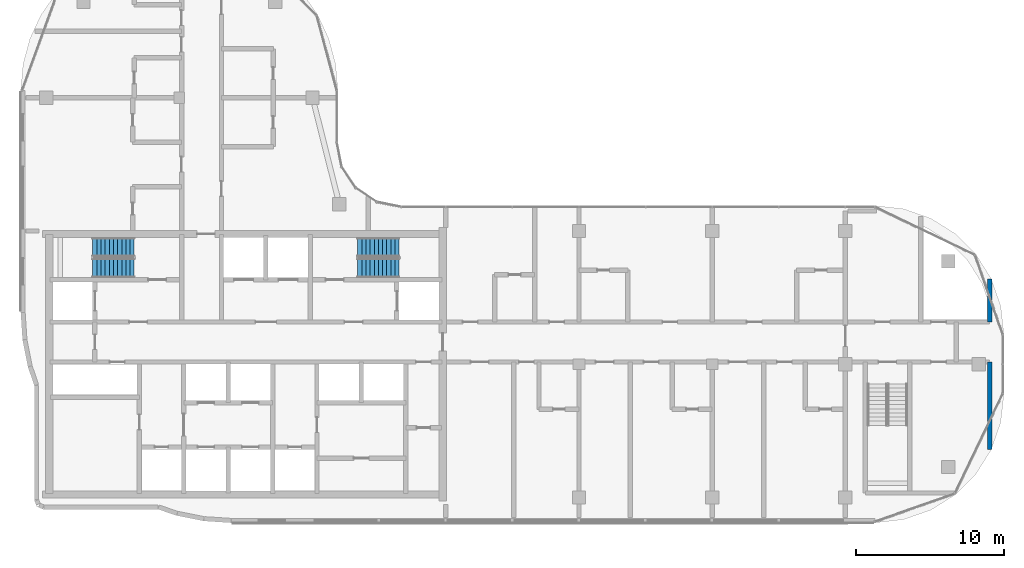
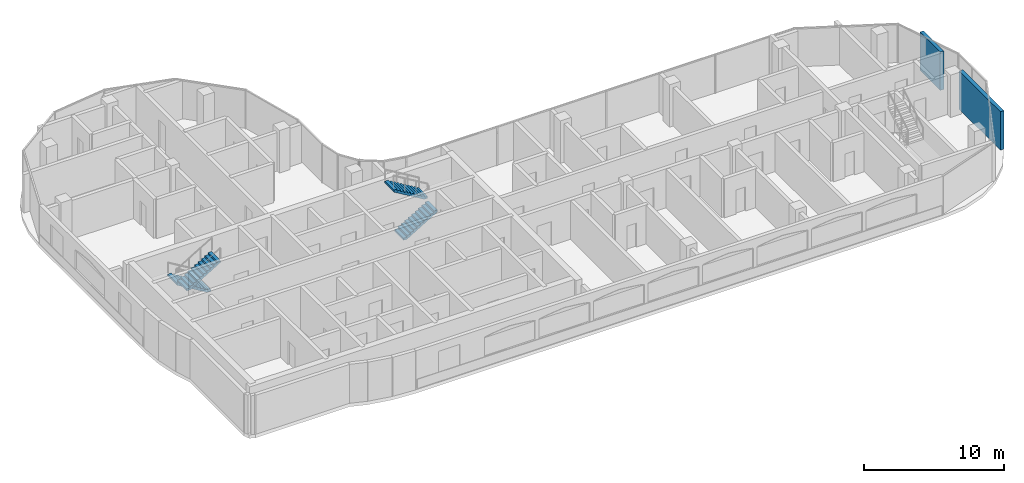
# One storey, part 14 of 19: 4 stair flights, 2 walls, 2 elements without a shape of their own.
"""IFC4 building model written with IfcOpenShell, lengths in metres."""

import ifcopenshell
import ifcopenshell.guid

model = None  # the IFC model being written
_history = None  # IfcOwnerHistory: only IFC2X3 demands one
_inside = {}  # id of a spatial element -> (the spatial element, [elements in it])
_under = {}  # id of a project, library or spatial element -> (it, [spatial elements below it])
_declared = {}  # id of a project -> (the project, [libraries it declares])
_typed = {}  # id of a type object -> (the type object, [elements of that type])
_made_of = {}  # id of a material, layer set ... -> (it, [elements and type objects made of it])


def new_model(schema):
    """Start an empty IFC model of exactly this schema.

    Asked for "IFC4X3", IfcOpenShell would pick the latest addendum, in which some entities
    have other attributes; the version numbers below select the first issue.
    IFC2X3 requires an IfcOwnerHistory on every rooted entity: one is made here for all.
    """
    global model, _history
    if schema == "IFC4X3":
        model = ifcopenshell.file(schema_version=(4, 3, 0, 0))
    else:
        model = ifcopenshell.file(schema=schema)
    _inside.clear()
    _under.clear()
    _declared.clear()
    _typed.clear()
    _made_of.clear()
    _history = None
    if model.schema == "IFC2X3":
        org = make("IfcOrganization", Name="unknown")
        user = make(
            "IfcPersonAndOrganization",
            ThePerson=make("IfcPerson", FamilyName="unknown"),
            TheOrganization=org,
        )
        app = make(
            "IfcApplication",
            ApplicationDeveloper=org,
            Version="unknown",
            ApplicationFullName="unknown",
            ApplicationIdentifier="unknown",
        )
        _history = make(
            "IfcOwnerHistory",
            OwningUser=user,
            OwningApplication=app,
            ChangeAction="ADDED",
            CreationDate=0,
        )
    return model


def make(cls, **values):
    """One entity of the class cls with the attributes given. An attribute that is None is left unset."""
    return model.create_entity(
        cls, **{name: value for name, value in values.items() if value is not None}
    )


def rooted(cls, **values):
    """An entity with a GlobalId (a new one), such as an element, a storey or a relation."""
    return make(cls, GlobalId=ifcopenshell.guid.new(), OwnerHistory=_history, **values)


def si_unit(unit_type, name, prefix=None):
    """IfcSIUnit, for example si_unit("LENGTHUNIT", "METRE", prefix="MILLI")."""
    return make("IfcSIUnit", UnitType=unit_type, Prefix=prefix, Name=name)


def assignment(units):
    """IfcUnitAssignment: the units of a project."""
    return None if units is None else make("IfcUnitAssignment", Units=units)


def point(xyz):
    """IfcCartesianPoint."""
    return None if xyz is None else make("IfcCartesianPoint", Coordinates=xyz)


def direction(xyz):
    """IfcDirection."""
    return None if xyz is None else make("IfcDirection", DirectionRatios=xyz)


def frame(location, z_axis=None, x_axis=None):
    """IfcAxis2Placement3D, a coordinate frame: its origin and axes. An axis left out is left unset."""
    return make(
        "IfcAxis2Placement3D",
        Location=point(location),
        Axis=direction(z_axis),
        RefDirection=direction(x_axis),
    )


def frame_2d(location, x_axis=None):
    """IfcAxis2Placement2D, a coordinate frame in the plane: its origin and x axis."""
    return make(
        "IfcAxis2Placement2D", Location=point(location), RefDirection=direction(x_axis)
    )


def origin():
    """The frame at (0, 0, 0) with its axes left unset."""
    return frame((0.0, 0.0, 0.0))


def place(relative_to, where):
    """IfcLocalPlacement: puts the frame where relative to a parent placement (None: the world)."""
    return make(
        "IfcLocalPlacement", PlacementRelTo=relative_to, RelativePlacement=where
    )


def context(
    kind, dimensions, precision=None, world=None, true_north=None, identifier=None
):
    """IfcGeometricRepresentationContext, for example the 3D "Model" context."""
    return make(
        "IfcGeometricRepresentationContext",
        ContextIdentifier=identifier,
        ContextType=kind,
        CoordinateSpaceDimension=dimensions,
        Precision=precision,
        WorldCoordinateSystem=world,
        TrueNorth=true_north,
    )


def subcontext(parent, identifier, kind, view, scale=None):
    """IfcGeometricRepresentationSubContext, for example "Body" below "Model"."""
    return make(
        "IfcGeometricRepresentationSubContext",
        ContextIdentifier=identifier,
        ContextType=kind,
        ParentContext=parent,
        TargetScale=scale,
        TargetView=view,
    )


def project(units=None, contexts=None):
    """IfcProject with its units and contexts."""
    return rooted(
        "IfcProject",
        Name="project",
        RepresentationContexts=contexts,
        UnitsInContext=assignment(units),
    )


def spatial(cls, under=None, at=None, **own):
    """A site, building, storey or space (cls), placed at a placement, below another one or the project."""
    s = rooted(cls, ObjectPlacement=at, **own)
    if under is not None:
        _under.setdefault(under.id(), (under, []))[1].append(s)
    return s


def point_list(points):
    """IfcCartesianPointList2D or 3D."""
    cls = (
        "IfcCartesianPointList2D" if len(points[0]) == 2 else "IfcCartesianPointList3D"
    )
    return make(cls, CoordList=points)


def profile(cls, at=None, kind="AREA", **sizes):
    """A parametric profile (cls). Its sizes go by their IFC names, for example OverallWidth=200.0."""
    return make(cls, ProfileType=kind, Position=at, **sizes)


def rectangle(**sizes):
    """IfcRectangleProfileDef."""
    return profile("IfcRectangleProfileDef", **sizes)


def extrude(swept, where, along, depth):
    """IfcExtrudedAreaSolid: the profile swept, set in the frame where, extruded along a direction by depth."""
    return make(
        "IfcExtrudedAreaSolid",
        SweptArea=swept,
        Position=where,
        ExtrudedDirection=direction(along),
        Depth=depth,
    )


def triangles(points, corners, closed=None, point_numbers=None):
    """IfcTriangulatedFaceSet: each triangle names its three corners, points numbered from 1."""
    return make(
        "IfcTriangulatedFaceSet",
        Coordinates=point_list(points),
        Closed=closed,
        CoordIndex=corners,
        PnIndex=point_numbers,
    )


def shape(context_of_items, identifier, shape_type, items):
    """IfcShapeRepresentation: the items that make up one representation, for example the "Body"."""
    return make(
        "IfcShapeRepresentation",
        ContextOfItems=context_of_items,
        RepresentationIdentifier=identifier,
        RepresentationType=shape_type,
        Items=items,
    )


def source(mapping_origin, context_of_items, identifier, shape_type, items):
    """IfcRepresentationMap: a shape defined once, which mapped items show again and again."""
    return make(
        "IfcRepresentationMap",
        MappingOrigin=mapping_origin,
        MappedRepresentation=shape(context_of_items, identifier, shape_type, items),
    )


def transform(
    local_origin,
    x_axis=None,
    y_axis=None,
    z_axis=None,
    scale=None,
    scale2=None,
    scale3=None,
    uniform=True,
):
    """IfcCartesianTransformationOperator3D, or its non-uniform kind. x_axis, y_axis, z_axis: its Axis1, 2, 3."""
    if uniform:
        return make(
            "IfcCartesianTransformationOperator3D",
            Axis1=direction(x_axis),
            Axis2=direction(y_axis),
            LocalOrigin=point(local_origin),
            Scale=scale,
            Axis3=direction(z_axis),
        )
    return make(
        "IfcCartesianTransformationOperator3DnonUniform",
        Axis1=direction(x_axis),
        Axis2=direction(y_axis),
        LocalOrigin=point(local_origin),
        Scale=scale,
        Axis3=direction(z_axis),
        Scale2=scale2,
        Scale3=scale3,
    )


def mapped(mapping_source, mapping_target):
    """IfcMappedItem: shows the shape of a source again, moved by a transform."""
    return make(
        "IfcMappedItem", MappingSource=mapping_source, MappingTarget=mapping_target
    )


def material(Name=None, Category=None):
    """IfcMaterial."""
    return make("IfcMaterial", Name=Name, Category=Category)


def layer(
    of_material, thickness, ventilated=None, Name=None, Category=None, Priority=None
):
    """IfcMaterialLayer: one layer of a wall or slab, of a material (None: an air gap)."""
    return make(
        "IfcMaterialLayer",
        Material=of_material,
        LayerThickness=thickness,
        IsVentilated=ventilated,
        Name=Name,
        Category=Category,
        Priority=Priority,
    )


def layer_set(layers, Name=None):
    """IfcMaterialLayerSet."""
    return make("IfcMaterialLayerSet", MaterialLayers=layers, LayerSetName=Name)


def made_of(thing, what):
    """Note that an element or type object is made of a material, layer set ...; save() writes the relation."""
    if what is not None:
        _made_of.setdefault(what.id(), (what, []))[1].append(thing)
    return thing


def type_object(cls, material=None, **own):
    """A type object (cls), such as IfcWallType, which elements share."""
    return made_of(rooted(cls, **own), material)


def element(
    cls,
    number,
    at=None,
    inside=None,
    cuts=None,
    type_object=None,
    material=None,
    context=None,
    identifier="Body",
    shape_type=None,
    held_by="IfcProductDefinitionShape",
    body=None,
    shapes=None,
    **own,
):
    """One element of the class cls, such as IfcWall. Its Tag is "e" and its number.

    at: its placement. inside: the storey or other place that contains it. cuts: it is an
    opening in that element (IfcRelVoidsElement). A single representation is given by context,
    identifier, shape_type and body (its items); several are given by shapes. held_by: the class
    of the entity that holds the representations. save() writes the other relations.
    """
    e = rooted(cls, Tag="e%d" % number, ObjectPlacement=at, **own)
    if body is not None:
        shapes = [shape(context, identifier, shape_type, body)]
    if shapes is not None:
        e.Representation = make(held_by, Representations=shapes)
    if inside is not None:
        _inside.setdefault(inside.id(), (inside, []))[1].append(e)
    if cuts is not None:
        rooted(
            "IfcRelVoidsElement", RelatingBuildingElement=cuts, RelatedOpeningElement=e
        )
    if type_object is not None:
        _typed.setdefault(type_object.id(), (type_object, []))[1].append(e)
    return made_of(e, material)


def aggregate(whole, parts):
    """IfcRelAggregates: a whole, such as a stair, and the parts it consists of."""
    return rooted("IfcRelAggregates", RelatingObject=whole, RelatedObjects=parts)


def save(model, path):
    """Write the relations noted so far, then the file.

    IfcRelAggregates (storeys below a building ...), IfcRelContainedInSpatialStructure (elements
    in a storey), IfcRelDefinesByType, IfcRelAssociatesMaterial and IfcRelDeclares: one each for
    every whole, place, type object, material and project.
    """
    for whole, parts in _under.values():
        aggregate(whole, parts)
    for where, things in _inside.values():
        rooted(
            "IfcRelContainedInSpatialStructure",
            RelatedElements=things,
            RelatingStructure=where,
        )
    for kind, things in _typed.values():
        rooted("IfcRelDefinesByType", RelatedObjects=things, RelatingType=kind)
    for what, things in _made_of.values():
        rooted("IfcRelAssociatesMaterial", RelatedObjects=things, RelatingMaterial=what)
    for by, libraries in _declared.values():
        rooted("IfcRelDeclares", RelatingContext=by, RelatedDefinitions=libraries)
    model.write(path)


model = new_model("IFC4")

# Units and contexts
model_context = context("Model", 3, precision=1e-05, world=origin(), true_north=direction((0.0, 1.0)))
body_context = subcontext(model_context, "Body", "Model", "MODEL_VIEW")
ifc_project = project(units=[si_unit("LENGTHUNIT", "METRE"), si_unit("AREAUNIT", "SQUARE_METRE"), si_unit("VOLUMEUNIT", "CUBIC_METRE"), si_unit("PLANEANGLEUNIT", "RADIAN"), si_unit("MASSUNIT", "GRAM", prefix="KILO")], contexts=[model_context])

# Site, building, storey
site_placement = place(None, origin())
site = spatial("IfcSite", under=ifc_project, at=site_placement, CompositionType="ELEMENT")
building_placement = place(site_placement, origin())
building = spatial("IfcBuilding", under=site, at=building_placement, Name="Ogive Portal Towers", CompositionType="ELEMENT")
storey_placement = place(building_placement, frame((0.0, 0.0, 203.199951171875)))
storey = spatial("IfcBuildingStorey", under=building, at=storey_placement, Name="L50", CompositionType="ELEMENT", Elevation=203.199951171875)

# Walls
ifc_material_1 = material(Name="Gypsum board partition on steel studs", Category="steel")
ifc_layer = layer(ifc_material_1, 0.300048828125)
ifc_layer_set = layer_set([ifc_layer], Name="WT-PART-300-EI 60")
wall_type = type_object("IfcWallType", Name="WT-PART-300-EI 60", PredefinedType="PARTITIONING", material=ifc_layer_set)
wall_1_placement = place(storey_placement, frame((95.25, 24.75390625, 0.0), z_axis=(0.0, 0.0, 1.0), x_axis=(0.0, 1.0, 0.0)))
element("IfcWall", 1, at=wall_1_placement, inside=storey, type_object=wall_type, Name="Wall L50:w054", PredefinedType="PARTITIONING", context=body_context, shape_type="SweptSolid", body=[
    extrude(rectangle(XDim=5.89599609375, YDim=0.300048828125, at=frame_2d((2.947998046875, 0.0))), origin(), (0.0, 0.0, 1.0), 3.35009765625),
])
wall_2_placement = place(storey_placement, frame((95.25, 33.35009765625, 0.0), z_axis=(0.0, 0.0, 1.0), x_axis=(0.0, 1.0, 0.0)))
element("IfcWall", 2, at=wall_2_placement, inside=storey, type_object=wall_type, Name="Wall L50:w055", PredefinedType="PARTITIONING", context=body_context, shape_type="SweptSolid", body=[
    extrude(rectangle(XDim=2.89599609375, YDim=0.300048828125, at=frame_2d((1.447998046875, 0.0))), origin(), (0.0, 0.0, 1.0), 3.35009765625),
])

# Stair, stair flights
ifc_material_2 = material(Name="Concrete C40/50", Category="concrete")
stair_type = type_object("IfcStairType", Name="INT-STAIR", PredefinedType="HALF_TURN_STAIR", material=ifc_material_2)
stair_1_placement = place(storey_placement, origin())
stair_1 = element("IfcStair", 3, at=stair_1_placement, inside=storey, type_object=stair_type, Name="L50 Exit Stair ST-A1", PredefinedType="HALF_TURN_STAIR")
stair_flight_type = type_object("IfcStairFlightType", Name="INT-FLIGHT", PredefinedType="STRAIGHT", material=ifc_material_2)
shared_shape = source(origin(), body_context, "Body", "Tessellation", [
    triangles([(0.0, -0.650146484375, 0.0), (0.0, -0.376220703125, 0.0), (0.0, -0.192626953125, 0.0), (0.0, -0.081298828125, 0.0), (0.0, -0.024169921875, 0.0), (0.0, -0.003173828125, 0.0), (0.0, 0.0, 0.0), (0.0, 0.0029296875, 0.0), (0.0, 0.02392578125, 0.0), (0.0, 0.0810546875, 0.0), (0.0, 0.1923828125, 0.0), (0.0, 0.3759765625, 0.0), (0.0, 0.64990234375, 0.0), (0.0, -0.650146484375, 0.168212890625), (0.0, -0.376220703125, 0.168212890625), (0.0, -0.192626953125, 0.168212890625), (0.0, -0.081298828125, 0.168212890625), (0.0, -0.024169921875, 0.168212890625), (0.0, -0.003173828125, 0.168212890625), (0.0, 0.0, 0.168212890625), (0.0, 0.0029296875, 0.168212890625), (0.0, 0.02392578125, 0.168212890625), (0.0, 0.0810546875, 0.168212890625), (0.0, 0.1923828125, 0.168212890625), (0.0, 0.3759765625, 0.168212890625), (0.0, 0.64990234375, 0.168212890625), (0.280029296875, -0.650146484375, 0.168212890625), (0.280029296875, -0.376220703125, 0.168212890625), (0.280029296875, -0.192626953125, 0.168212890625), (0.280029296875, -0.081298828125, 0.168212890625), (0.280029296875, -0.024169921875, 0.168212890625), (0.280029296875, -0.003173828125, 0.168212890625), (0.280029296875, 0.0, 0.168212890625), (0.280029296875, 0.0029296875, 0.168212890625), (0.280029296875, 0.02392578125, 0.168212890625), (0.280029296875, 0.0810546875, 0.168212890625), (0.280029296875, 0.1923828125, 0.168212890625), (0.280029296875, 0.3759765625, 0.168212890625), (0.280029296875, 0.64990234375, 0.168212890625), (0.280029296875, -0.650146484375, 0.33642578125), (0.280029296875, -0.376220703125, 0.33642578125), (0.280029296875, -0.192626953125, 0.33642578125), (0.280029296875, -0.081298828125, 0.33642578125), (0.280029296875, -0.024169921875, 0.33642578125), (0.280029296875, -0.003173828125, 0.33642578125), (0.280029296875, 0.0, 0.33642578125), (0.280029296875, 0.0029296875, 0.33642578125), (0.280029296875, 0.02392578125, 0.33642578125), (0.280029296875, 0.0810546875, 0.33642578125), (0.280029296875, 0.1923828125, 0.33642578125), (0.280029296875, 0.3759765625, 0.33642578125), (0.280029296875, 0.64990234375, 0.33642578125), (0.56005859375, -0.650146484375, 0.33642578125), (0.56005859375, -0.376220703125, 0.33642578125), (0.56005859375, -0.192626953125, 0.33642578125), (0.56005859375, -0.081298828125, 0.33642578125), (0.56005859375, -0.024169921875, 0.33642578125), (0.56005859375, -0.003173828125, 0.33642578125), (0.56005859375, 0.0, 0.33642578125), (0.56005859375, 0.0029296875, 0.33642578125), (0.56005859375, 0.02392578125, 0.33642578125), (0.56005859375, 0.0810546875, 0.33642578125), (0.56005859375, 0.1923828125, 0.33642578125), (0.56005859375, 0.3759765625, 0.33642578125), (0.56005859375, 0.64990234375, 0.33642578125), (0.56005859375, -0.650146484375, 0.504638671875), (0.56005859375, -0.376220703125, 0.504638671875), (0.56005859375, -0.192626953125, 0.504638671875), (0.56005859375, -0.081298828125, 0.504638671875), (0.56005859375, -0.024169921875, 0.504638671875), (0.56005859375, -0.003173828125, 0.504638671875), (0.56005859375, 0.0, 0.504638671875), (0.56005859375, 0.0029296875, 0.504638671875), (0.56005859375, 0.02392578125, 0.504638671875), (0.56005859375, 0.0810546875, 0.504638671875), (0.56005859375, 0.1923828125, 0.504638671875), (0.56005859375, 0.3759765625, 0.504638671875), (0.56005859375, 0.64990234375, 0.504638671875), (0.840087890625, -0.650146484375, 0.504638671875), (0.840087890625, -0.376220703125, 0.504638671875), (0.840087890625, -0.192626953125, 0.504638671875), (0.840087890625, -0.081298828125, 0.504638671875), (0.840087890625, -0.024169921875, 0.504638671875), (0.840087890625, -0.003173828125, 0.504638671875), (0.840087890625, 0.0, 0.504638671875), (0.840087890625, 0.0029296875, 0.504638671875), (0.840087890625, 0.02392578125, 0.504638671875), (0.840087890625, 0.0810546875, 0.504638671875), (0.840087890625, 0.1923828125, 0.504638671875), (0.840087890625, 0.3759765625, 0.504638671875), (0.840087890625, 0.64990234375, 0.504638671875), (0.840087890625, -0.650146484375, 0.672607421875), (0.840087890625, -0.376220703125, 0.672607421875), (0.840087890625, -0.192626953125, 0.672607421875), (0.840087890625, -0.081298828125, 0.672607421875), (0.840087890625, -0.024169921875, 0.672607421875), (0.840087890625, -0.003173828125, 0.672607421875), (0.840087890625, 0.0, 0.672607421875), (0.840087890625, 0.0029296875, 0.672607421875), (0.840087890625, 0.02392578125, 0.672607421875), (0.840087890625, 0.0810546875, 0.672607421875), (0.840087890625, 0.1923828125, 0.672607421875), (0.840087890625, 0.3759765625, 0.672607421875), (0.840087890625, 0.64990234375, 0.672607421875), (1.1201171875, -0.650146484375, 0.672607421875), (1.1201171875, -0.376220703125, 0.672607421875), (1.1201171875, -0.192626953125, 0.672607421875), (1.1201171875, -0.081298828125, 0.672607421875), (1.1201171875, -0.024169921875, 0.672607421875), (1.1201171875, -0.003173828125, 0.672607421875), (1.1201171875, 0.0, 0.672607421875), (1.1201171875, 0.0029296875, 0.672607421875), (1.1201171875, 0.02392578125, 0.672607421875), (1.1201171875, 0.0810546875, 0.672607421875), (1.1201171875, 0.1923828125, 0.672607421875), (1.1201171875, 0.3759765625, 0.672607421875), (1.1201171875, 0.64990234375, 0.672607421875), (1.1201171875, -0.650146484375, 0.8408203125), (1.1201171875, -0.376220703125, 0.8408203125), (1.1201171875, -0.192626953125, 0.8408203125), (1.1201171875, -0.081298828125, 0.8408203125), (1.1201171875, -0.024169921875, 0.8408203125), (1.1201171875, -0.003173828125, 0.8408203125), (1.1201171875, 0.0, 0.8408203125), (1.1201171875, 0.0029296875, 0.8408203125), (1.1201171875, 0.02392578125, 0.8408203125), (1.1201171875, 0.0810546875, 0.8408203125), (1.1201171875, 0.1923828125, 0.8408203125), (1.1201171875, 0.3759765625, 0.8408203125), (1.1201171875, 0.64990234375, 0.8408203125), (1.39990234375, -0.650146484375, 0.8408203125), (1.39990234375, -0.376220703125, 0.8408203125), (1.39990234375, -0.192626953125, 0.8408203125), (1.39990234375, -0.081298828125, 0.8408203125), (1.39990234375, -0.024169921875, 0.8408203125), (1.39990234375, -0.003173828125, 0.8408203125), (1.39990234375, 0.0, 0.8408203125), (1.39990234375, 0.0029296875, 0.8408203125), (1.39990234375, 0.02392578125, 0.8408203125), (1.39990234375, 0.0810546875, 0.8408203125), (1.39990234375, 0.1923828125, 0.8408203125), (1.39990234375, 0.3759765625, 0.8408203125), (1.39990234375, 0.64990234375, 0.8408203125), (1.39990234375, -0.650146484375, 1.009033203125), (1.39990234375, -0.376220703125, 1.009033203125), (1.39990234375, -0.192626953125, 1.009033203125), (1.39990234375, -0.081298828125, 1.009033203125), (1.39990234375, -0.024169921875, 1.009033203125), (1.39990234375, -0.003173828125, 1.009033203125), (1.39990234375, 0.0, 1.009033203125), (1.39990234375, 0.0029296875, 1.009033203125), (1.39990234375, 0.02392578125, 1.009033203125), (1.39990234375, 0.0810546875, 1.009033203125), (1.39990234375, 0.1923828125, 1.009033203125), (1.39990234375, 0.3759765625, 1.009033203125), (1.39990234375, 0.64990234375, 1.009033203125), (1.679931640625, -0.650146484375, 1.009033203125), (1.679931640625, -0.376220703125, 1.009033203125), (1.679931640625, -0.192626953125, 1.009033203125), (1.679931640625, -0.081298828125, 1.009033203125), (1.679931640625, -0.024169921875, 1.009033203125), (1.679931640625, -0.003173828125, 1.009033203125), (1.679931640625, 0.0, 1.009033203125), (1.679931640625, 0.0029296875, 1.009033203125), (1.679931640625, 0.02392578125, 1.009033203125), (1.679931640625, 0.0810546875, 1.009033203125), (1.679931640625, 0.1923828125, 1.009033203125), (1.679931640625, 0.3759765625, 1.009033203125), (1.679931640625, 0.64990234375, 1.009033203125), (1.679931640625, -0.650146484375, 1.17724609375), (1.679931640625, -0.376220703125, 1.17724609375), (1.679931640625, -0.192626953125, 1.17724609375), (1.679931640625, -0.081298828125, 1.17724609375), (1.679931640625, -0.024169921875, 1.17724609375), (1.679931640625, -0.003173828125, 1.17724609375), (1.679931640625, 0.0, 1.17724609375), (1.679931640625, 0.0029296875, 1.17724609375), (1.679931640625, 0.02392578125, 1.17724609375), (1.679931640625, 0.0810546875, 1.17724609375), (1.679931640625, 0.1923828125, 1.17724609375), (1.679931640625, 0.3759765625, 1.17724609375), (1.679931640625, 0.64990234375, 1.17724609375), (1.9599609375, -0.650146484375, 1.17724609375), (1.9599609375, -0.376220703125, 1.17724609375), (1.9599609375, -0.192626953125, 1.17724609375), (1.9599609375, -0.081298828125, 1.17724609375), (1.9599609375, -0.024169921875, 1.17724609375), (1.9599609375, -0.003173828125, 1.17724609375), (1.9599609375, 0.0, 1.17724609375), (1.9599609375, 0.0029296875, 1.17724609375), (1.9599609375, 0.02392578125, 1.17724609375), (1.9599609375, 0.0810546875, 1.17724609375), (1.9599609375, 0.1923828125, 1.17724609375), (1.9599609375, 0.3759765625, 1.17724609375), (1.9599609375, 0.64990234375, 1.17724609375), (1.9599609375, -0.650146484375, 1.345458984375), (1.9599609375, -0.376220703125, 1.345458984375), (1.9599609375, -0.192626953125, 1.345458984375), (1.9599609375, -0.081298828125, 1.345458984375), (1.9599609375, -0.024169921875, 1.345458984375), (1.9599609375, -0.003173828125, 1.345458984375), (1.9599609375, 0.0, 1.345458984375), (1.9599609375, 0.0029296875, 1.345458984375), (1.9599609375, 0.02392578125, 1.345458984375), (1.9599609375, 0.0810546875, 1.345458984375), (1.9599609375, 0.1923828125, 1.345458984375), (1.9599609375, 0.3759765625, 1.345458984375), (1.9599609375, 0.64990234375, 1.345458984375), (2.239990234375, -0.650146484375, 1.345458984375), (2.239990234375, -0.376220703125, 1.345458984375), (2.239990234375, -0.192626953125, 1.345458984375), (2.239990234375, -0.081298828125, 1.345458984375), (2.239990234375, -0.024169921875, 1.345458984375), (2.239990234375, -0.003173828125, 1.345458984375), (2.239990234375, 0.0, 1.345458984375), (2.239990234375, 0.0029296875, 1.345458984375), (2.239990234375, 0.02392578125, 1.345458984375), (2.239990234375, 0.0810546875, 1.345458984375), (2.239990234375, 0.1923828125, 1.345458984375), (2.239990234375, 0.3759765625, 1.345458984375), (2.239990234375, 0.64990234375, 1.345458984375), (2.239990234375, -0.650146484375, 1.513671875), (2.239990234375, -0.376220703125, 1.513671875), (2.239990234375, -0.192626953125, 1.513671875), (2.239990234375, -0.081298828125, 1.513671875), (2.239990234375, -0.024169921875, 1.513671875), (2.239990234375, -0.003173828125, 1.513671875), (2.239990234375, 0.0, 1.513671875), (2.239990234375, 0.0029296875, 1.513671875), (2.239990234375, 0.02392578125, 1.513671875), (2.239990234375, 0.0810546875, 1.513671875), (2.239990234375, 0.1923828125, 1.513671875), (2.239990234375, 0.3759765625, 1.513671875), (2.239990234375, 0.64990234375, 1.513671875), (2.52001953125, -0.650146484375, 1.513671875), (2.52001953125, -0.376220703125, 1.513671875), (2.52001953125, -0.192626953125, 1.513671875), (2.52001953125, -0.081298828125, 1.513671875), (2.52001953125, -0.024169921875, 1.513671875), (2.52001953125, -0.003173828125, 1.513671875), (2.52001953125, 0.0, 1.513671875), (2.52001953125, 0.0029296875, 1.513671875), (2.52001953125, 0.02392578125, 1.513671875), (2.52001953125, 0.0810546875, 1.513671875), (2.52001953125, 0.1923828125, 1.513671875), (2.52001953125, 0.3759765625, 1.513671875), (2.52001953125, 0.64990234375, 1.513671875), (2.52001953125, -0.650146484375, 1.681884765625), (2.52001953125, -0.376220703125, 1.681884765625), (2.52001953125, -0.192626953125, 1.681884765625), (2.52001953125, -0.081298828125, 1.681884765625), (2.52001953125, -0.024169921875, 1.681884765625), (2.52001953125, -0.003173828125, 1.681884765625), (2.52001953125, 0.0, 1.681884765625), (2.52001953125, 0.0029296875, 1.681884765625), (2.52001953125, 0.02392578125, 1.681884765625), (2.52001953125, 0.0810546875, 1.681884765625), (2.52001953125, 0.1923828125, 1.681884765625), (2.52001953125, 0.3759765625, 1.681884765625), (2.52001953125, 0.64990234375, 1.681884765625), (2.800048828125, -0.650146484375, 1.681884765625), (2.800048828125, -0.376220703125, 1.681884765625), (2.800048828125, -0.192626953125, 1.681884765625), (2.800048828125, -0.081298828125, 1.681884765625), (2.800048828125, -0.024169921875, 1.681884765625), (2.800048828125, -0.003173828125, 1.681884765625), (2.800048828125, 0.0, 1.681884765625), (2.800048828125, 0.0029296875, 1.681884765625), (2.800048828125, 0.02392578125, 1.681884765625), (2.800048828125, 0.0810546875, 1.681884765625), (2.800048828125, 0.1923828125, 1.681884765625), (2.800048828125, 0.3759765625, 1.681884765625), (2.800048828125, 0.64990234375, 1.681884765625), (2.800048828125, -0.650146484375, 1.5068359375), (2.800048828125, -0.376220703125, 1.5068359375), (2.800048828125, -0.192626953125, 1.5068359375), (2.800048828125, -0.081298828125, 1.5068359375), (2.800048828125, -0.024169921875, 1.5068359375), (2.800048828125, -0.003173828125, 1.5068359375), (2.800048828125, 0.0, 1.5068359375), (2.800048828125, 0.0029296875, 1.5068359375), (2.800048828125, 0.02392578125, 1.5068359375), (2.800048828125, 0.0810546875, 1.5068359375), (2.800048828125, 0.1923828125, 1.5068359375), (2.800048828125, 0.3759765625, 1.5068359375), (2.800048828125, 0.64990234375, 1.5068359375), (0.291015625, -0.650146484375, 0.0), (0.291015625, -0.376220703125, 0.0), (0.291015625, -0.192626953125, 0.0), (0.291015625, -0.081298828125, 0.0), (0.291015625, -0.024169921875, 0.0), (0.291015625, -0.003173828125, 0.0), (0.291015625, 0.0, 0.0), (0.291015625, 0.0029296875, 0.0), (0.291015625, 0.02392578125, 0.0), (0.291015625, 0.0810546875, 0.0), (0.291015625, 0.1923828125, 0.0), (0.291015625, 0.3759765625, 0.0), (0.291015625, 0.64990234375, 0.0)], [[1, 14, 15], [1, 15, 2], [2, 15, 16], [2, 16, 3], [3, 16, 17], [3, 17, 4], [4, 17, 18], [4, 18, 5], [5, 18, 19], [5, 19, 6], [6, 19, 20], [6, 20, 7], [7, 20, 21], [7, 21, 8], [8, 21, 22], [8, 22, 9], [9, 22, 23], [9, 23, 10], [10, 23, 24], [10, 24, 11], [11, 24, 25], [11, 25, 12], [12, 25, 26], [12, 26, 13], [14, 27, 28], [14, 28, 15], [15, 28, 29], [15, 29, 16], [16, 29, 30], [16, 30, 17], [17, 30, 31], [17, 31, 18], [18, 31, 32], [18, 32, 19], [19, 32, 33], [19, 33, 20], [20, 33, 34], [20, 34, 21], [21, 34, 35], [21, 35, 22], [22, 35, 36], [22, 36, 23], [23, 36, 37], [23, 37, 24], [24, 37, 38], [24, 38, 25], [25, 38, 39], [25, 39, 26], [27, 40, 41], [27, 41, 28], [28, 41, 42], [28, 42, 29], [29, 42, 43], [29, 43, 30], [30, 43, 44], [30, 44, 31], [31, 44, 45], [31, 45, 32], [32, 45, 46], [32, 46, 33], [33, 46, 47], [33, 47, 34], [34, 47, 48], [34, 48, 35], [35, 48, 49], [35, 49, 36], [36, 49, 50], [36, 50, 37], [37, 50, 51], [37, 51, 38], [38, 51, 52], [38, 52, 39], [40, 53, 54], [40, 54, 41], [41, 54, 55], [41, 55, 42], [42, 55, 56], [42, 56, 43], [43, 56, 57], [43, 57, 44], [44, 57, 58], [44, 58, 45], [45, 58, 59], [45, 59, 46], [46, 59, 60], [46, 60, 47], [47, 60, 61], [47, 61, 48], [48, 61, 62], [48, 62, 49], [49, 62, 63], [49, 63, 50], [50, 63, 64], [50, 64, 51], [51, 64, 65], [51, 65, 52], [53, 66, 67], [53, 67, 54], [54, 67, 68], [54, 68, 55], [55, 68, 69], [55, 69, 56], [56, 69, 70], [56, 70, 57], [57, 70, 71], [57, 71, 58], [58, 71, 72], [58, 72, 59], [59, 72, 73], [59, 73, 60], [60, 73, 74], [60, 74, 61], [61, 74, 75], [61, 75, 62], [62, 75, 76], [62, 76, 63], [63, 76, 77], [63, 77, 64], [64, 77, 78], [64, 78, 65], [66, 79, 80], [66, 80, 67], [67, 80, 81], [67, 81, 68], [68, 81, 82], [68, 82, 69], [69, 82, 83], [69, 83, 70], [70, 83, 84], [70, 84, 71], [71, 84, 85], [71, 85, 72], [72, 85, 86], [72, 86, 73], [73, 86, 87], [73, 87, 74], [74, 87, 88], [74, 88, 75], [75, 88, 89], [75, 89, 76], [76, 89, 90], [76, 90, 77], [77, 90, 91], [77, 91, 78], [79, 92, 93], [79, 93, 80], [80, 93, 94], [80, 94, 81], [81, 94, 95], [81, 95, 82], [82, 95, 96], [82, 96, 83], [83, 96, 97], [83, 97, 84], [84, 97, 98], [84, 98, 85], [85, 98, 99], [85, 99, 86], [86, 99, 100], [86, 100, 87], [87, 100, 101], [87, 101, 88], [88, 101, 102], [88, 102, 89], [89, 102, 103], [89, 103, 90], [90, 103, 104], [90, 104, 91], [92, 105, 106], [92, 106, 93], [93, 106, 107], [93, 107, 94], [94, 107, 108], [94, 108, 95], [95, 108, 109], [95, 109, 96], [96, 109, 110], [96, 110, 97], [97, 110, 111], [97, 111, 98], [98, 111, 112], [98, 112, 99], [99, 112, 113], [99, 113, 100], [100, 113, 114], [100, 114, 101], [101, 114, 115], [101, 115, 102], [102, 115, 116], [102, 116, 103], [103, 116, 117], [103, 117, 104], [105, 118, 119], [105, 119, 106], [106, 119, 120], [106, 120, 107], [107, 120, 121], [107, 121, 108], [108, 121, 122], [108, 122, 109], [109, 122, 123], [109, 123, 110], [110, 123, 124], [110, 124, 111], [111, 124, 125], [111, 125, 112], [112, 125, 126], [112, 126, 113], [113, 126, 127], [113, 127, 114], [114, 127, 128], [114, 128, 115], [115, 128, 129], [115, 129, 116], [116, 129, 130], [116, 130, 117], [118, 131, 132], [118, 132, 119], [119, 132, 133], [119, 133, 120], [120, 133, 134], [120, 134, 121], [121, 134, 135], [121, 135, 122], [122, 135, 136], [122, 136, 123], [123, 136, 137], [123, 137, 124], [124, 137, 138], [124, 138, 125], [125, 138, 139], [125, 139, 126], [126, 139, 140], [126, 140, 127], [127, 140, 141], [127, 141, 128], [128, 141, 142], [128, 142, 129], [129, 142, 143], [129, 143, 130], [131, 144, 145], [131, 145, 132], [132, 145, 146], [132, 146, 133], [133, 146, 147], [133, 147, 134], [134, 147, 148], [134, 148, 135], [135, 148, 149], [135, 149, 136], [136, 149, 150], [136, 150, 137], [137, 150, 151], [137, 151, 138], [138, 151, 152], [138, 152, 139], [139, 152, 153], [139, 153, 140], [140, 153, 154], [140, 154, 141], [141, 154, 155], [141, 155, 142], [142, 155, 156], [142, 156, 143], [144, 157, 158], [144, 158, 145], [145, 158, 159], [145, 159, 146], [146, 159, 160], [146, 160, 147], [147, 160, 161], [147, 161, 148], [148, 161, 162], [148, 162, 149], [149, 162, 163], [149, 163, 150], [150, 163, 164], [150, 164, 151], [151, 164, 165], [151, 165, 152], [152, 165, 166], [152, 166, 153], [153, 166, 167], [153, 167, 154], [154, 167, 168], [154, 168, 155], [155, 168, 169], [155, 169, 156], [157, 170, 171], [157, 171, 158], [158, 171, 172], [158, 172, 159], [159, 172, 173], [159, 173, 160], [160, 173, 174], [160, 174, 161], [161, 174, 175], [161, 175, 162], [162, 175, 176], [162, 176, 163], [163, 176, 177], [163, 177, 164], [164, 177, 178], [164, 178, 165], [165, 178, 179], [165, 179, 166], [166, 179, 180], [166, 180, 167], [167, 180, 181], [167, 181, 168], [168, 181, 182], [168, 182, 169], [170, 183, 184], [170, 184, 171], [171, 184, 185], [171, 185, 172], [172, 185, 186], [172, 186, 173], [173, 186, 187], [173, 187, 174], [174, 187, 188], [174, 188, 175], [175, 188, 189], [175, 189, 176], [176, 189, 190], [176, 190, 177], [177, 190, 191], [177, 191, 178], [178, 191, 192], [178, 192, 179], [179, 192, 193], [179, 193, 180], [180, 193, 194], [180, 194, 181], [181, 194, 195], [181, 195, 182], [183, 196, 197], [183, 197, 184], [184, 197, 198], [184, 198, 185], [185, 198, 199], [185, 199, 186], [186, 199, 200], [186, 200, 187], [187, 200, 201], [187, 201, 188], [188, 201, 202], [188, 202, 189], [189, 202, 203], [189, 203, 190], [190, 203, 204], [190, 204, 191], [191, 204, 205], [191, 205, 192], [192, 205, 206], [192, 206, 193], [193, 206, 207], [193, 207, 194], [194, 207, 208], [194, 208, 195], [196, 209, 210], [196, 210, 197], [197, 210, 211], [197, 211, 198], [198, 211, 212], [198, 212, 199], [199, 212, 213], [199, 213, 200], [200, 213, 214], [200, 214, 201], [201, 214, 215], [201, 215, 202], [202, 215, 216], [202, 216, 203], [203, 216, 217], [203, 217, 204], [204, 217, 218], [204, 218, 205], [205, 218, 219], [205, 219, 206], [206, 219, 220], [206, 220, 207], [207, 220, 221], [207, 221, 208], [209, 222, 223], [209, 223, 210], [210, 223, 224], [210, 224, 211], [211, 224, 225], [211, 225, 212], [212, 225, 226], [212, 226, 213], [213, 226, 227], [213, 227, 214], [214, 227, 228], [214, 228, 215], [215, 228, 229], [215, 229, 216], [216, 229, 230], [216, 230, 217], [217, 230, 231], [217, 231, 218], [218, 231, 232], [218, 232, 219], [219, 232, 233], [219, 233, 220], [220, 233, 234], [220, 234, 221], [222, 235, 236], [222, 236, 223], [223, 236, 237], [223, 237, 224], [224, 237, 238], [224, 238, 225], [225, 238, 239], [225, 239, 226], [226, 239, 240], [226, 240, 227], [227, 240, 241], [227, 241, 228], [228, 241, 242], [228, 242, 229], [229, 242, 243], [229, 243, 230], [230, 243, 244], [230, 244, 231], [231, 244, 245], [231, 245, 232], [232, 245, 246], [232, 246, 233], [233, 246, 247], [233, 247, 234], [235, 248, 249], [235, 249, 236], [236, 249, 250], [236, 250, 237], [237, 250, 251], [237, 251, 238], [238, 251, 252], [238, 252, 239], [239, 252, 253], [239, 253, 240], [240, 253, 254], [240, 254, 241], [241, 254, 255], [241, 255, 242], [242, 255, 256], [242, 256, 243], [243, 256, 257], [243, 257, 244], [244, 257, 258], [244, 258, 245], [245, 258, 259], [245, 259, 246], [246, 259, 260], [246, 260, 247], [248, 261, 262], [248, 262, 249], [249, 262, 263], [249, 263, 250], [250, 263, 264], [250, 264, 251], [251, 264, 265], [251, 265, 252], [252, 265, 266], [252, 266, 253], [253, 266, 267], [253, 267, 254], [254, 267, 268], [254, 268, 255], [255, 268, 269], [255, 269, 256], [256, 269, 270], [256, 270, 257], [257, 270, 271], [257, 271, 258], [258, 271, 272], [258, 272, 259], [259, 272, 273], [259, 273, 260], [261, 274, 275], [261, 275, 262], [262, 275, 276], [262, 276, 263], [263, 276, 277], [263, 277, 264], [264, 277, 278], [264, 278, 265], [265, 278, 279], [265, 279, 266], [266, 279, 280], [266, 280, 267], [267, 280, 281], [267, 281, 268], [268, 281, 282], [268, 282, 269], [269, 282, 283], [269, 283, 270], [270, 283, 284], [270, 284, 271], [271, 284, 285], [271, 285, 272], [272, 285, 286], [272, 286, 273], [274, 287, 288], [274, 288, 275], [275, 288, 289], [275, 289, 276], [276, 289, 290], [276, 290, 277], [277, 290, 291], [277, 291, 278], [278, 291, 292], [278, 292, 279], [279, 292, 293], [279, 293, 280], [280, 293, 294], [280, 294, 281], [281, 294, 295], [281, 295, 282], [282, 295, 296], [282, 296, 283], [283, 296, 297], [283, 297, 284], [284, 297, 298], [284, 298, 285], [285, 298, 299], [285, 299, 286], [287, 1, 2], [287, 2, 288], [288, 2, 3], [288, 3, 289], [289, 3, 4], [289, 4, 290], [290, 4, 5], [290, 5, 291], [291, 5, 6], [291, 6, 292], [292, 6, 7], [292, 7, 293], [293, 7, 8], [293, 8, 294], [294, 8, 9], [294, 9, 295], [295, 9, 10], [295, 10, 296], [296, 10, 11], [296, 11, 297], [297, 11, 12], [297, 12, 298], [298, 12, 13], [298, 13, 299], [1, 287, 274], [13, 286, 299], [274, 261, 248], [286, 260, 273], [274, 248, 235], [286, 247, 260], [274, 235, 222], [286, 234, 247], [274, 222, 209], [286, 221, 234], [209, 196, 183], [221, 195, 208], [274, 209, 183], [286, 195, 221], [183, 170, 157], [195, 169, 182], [274, 183, 157], [286, 169, 195], [157, 144, 131], [169, 143, 156], [274, 157, 131], [286, 143, 169], [131, 118, 105], [143, 117, 130], [274, 131, 105], [286, 117, 143], [1, 274, 105], [13, 117, 286], [105, 92, 79], [117, 91, 104], [79, 66, 53], [91, 65, 78], [105, 79, 53], [117, 65, 91], [53, 40, 27], [65, 39, 52], [105, 53, 27], [117, 39, 65], [1, 105, 27], [13, 39, 117], [27, 14, 1], [39, 13, 26]], closed=True),
])
stair_flight_1_placement = place(storey_placement, frame((37.449951171875, 38.39990234375, 0.0), z_axis=(0.0, 0.0, 1.0), x_axis=(-1.0, 0.0, 0.0)))
stair_flight_1 = element("IfcStairFlight", 4, at=stair_flight_1_placement, type_object=stair_flight_type, Name="ST-A1 flight 1", NumberOfRisers=11, NumberOfTreads=10, PredefinedType="STRAIGHT", RiserHeight=0.168181818, TreadLength=0.28, context=body_context, shape_type="MappedRepresentation", body=[
    mapped(shared_shape, transform((0.0, 0.0, 0.0), scale=1.0)),
])
stair_flight_2_placement = place(storey_placement, frame((34.64990234375, 37.0, 1.85009765625), z_axis=(0.0, 0.0, 1.0), x_axis=(1.0, 0.0, 0.0)))
stair_flight_2 = element("IfcStairFlight", 5, at=stair_flight_2_placement, type_object=stair_flight_type, Name="ST-A1 flight 2", NumberOfRisers=11, NumberOfTreads=10, PredefinedType="STRAIGHT", RiserHeight=0.168181818, TreadLength=0.28, context=body_context, shape_type="MappedRepresentation", body=[
    mapped(shared_shape, transform((0.0, 0.0, 0.0), scale=1.0)),
])
aggregate(stair_1, [stair_flight_1, stair_flight_2])

stair_2_placement = place(storey_placement, origin())
stair_2 = element("IfcStair", 6, at=stair_2_placement, inside=storey, type_object=stair_type, Name="L50 Exit Stair ST-A2", PredefinedType="HALF_TURN_STAIR")
stair_flight_3_placement = place(storey_placement, frame((52.550048828125, 37.0, 0.0), z_axis=(0.0, 0.0, 1.0), x_axis=(1.0, 0.0, 0.0)))
stair_flight_3 = element("IfcStairFlight", 7, at=stair_flight_3_placement, type_object=stair_flight_type, Name="ST-A2 flight 1", NumberOfRisers=11, NumberOfTreads=10, PredefinedType="STRAIGHT", RiserHeight=0.168181818, TreadLength=0.28, context=body_context, shape_type="MappedRepresentation", body=[
    mapped(shared_shape, transform((0.0, 0.0, 0.0), scale=1.0)),
])
stair_flight_4_placement = place(storey_placement, frame((55.35009765625, 38.39990234375, 1.85009765625), z_axis=(0.0, 0.0, 1.0), x_axis=(-1.0, 0.0, 0.0)))
stair_flight_4 = element("IfcStairFlight", 8, at=stair_flight_4_placement, type_object=stair_flight_type, Name="ST-A2 flight 2", NumberOfRisers=11, NumberOfTreads=10, PredefinedType="STRAIGHT", RiserHeight=0.168181818, TreadLength=0.28, context=body_context, shape_type="MappedRepresentation", body=[
    mapped(shared_shape, transform((0.0, 0.0, 0.0), scale=1.0)),
])
aggregate(stair_2, [stair_flight_3, stair_flight_4])

save(model, "model.ifc")
